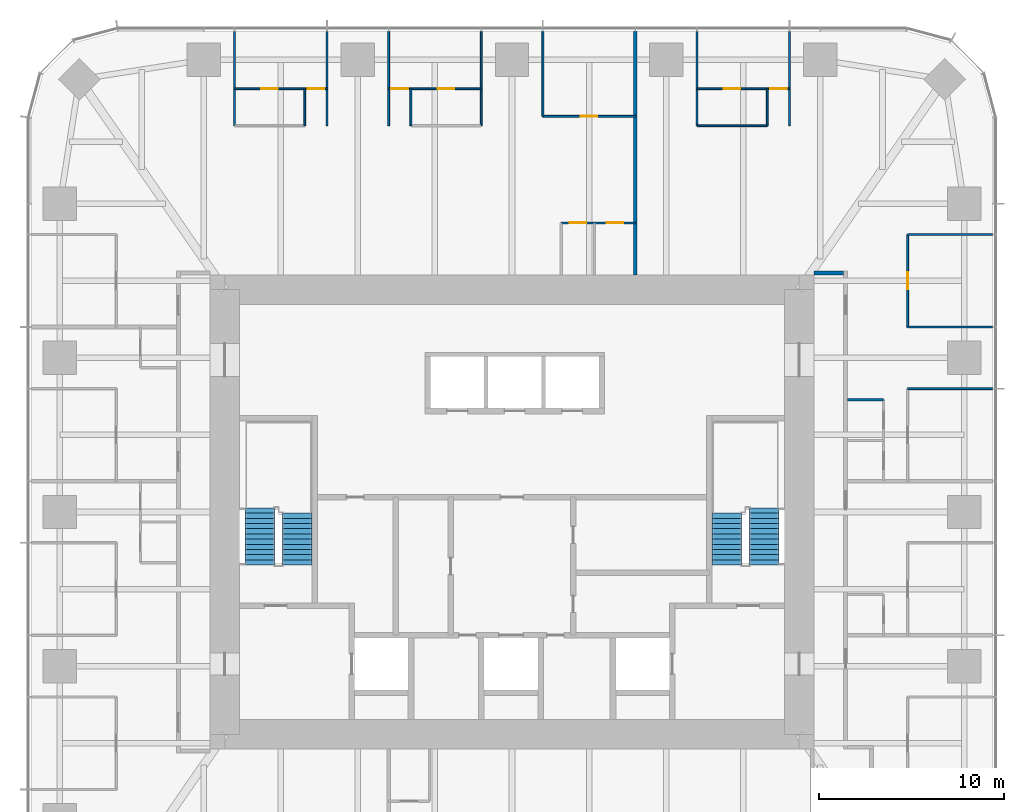
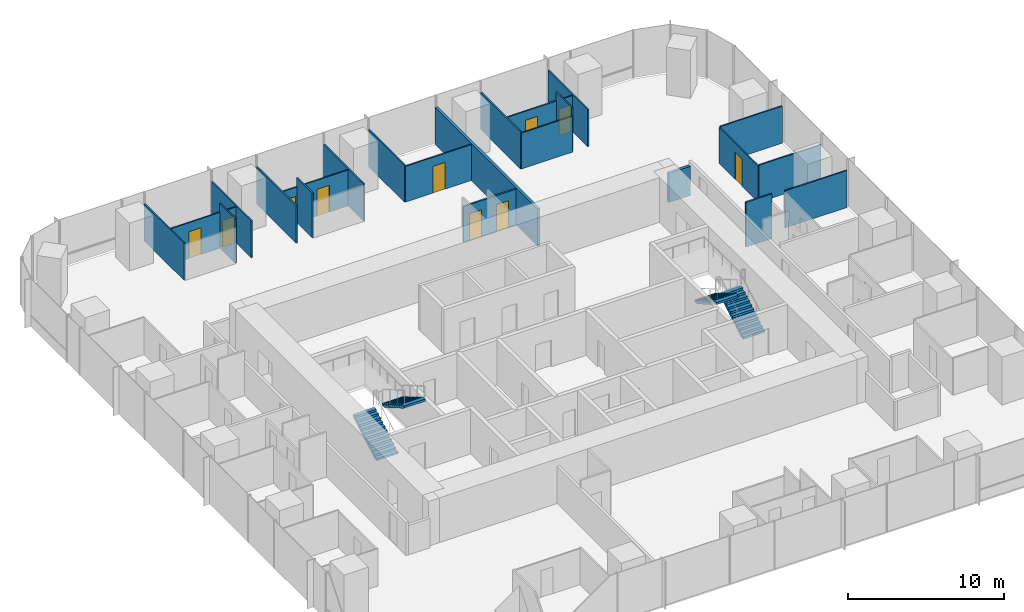
# One storey, part 11 of 12: 23 walls, 10 doors, 4 stair flights, 10 openings, 2 elements without a shape of their own.
"""IFC4 building model written with IfcOpenShell, lengths in metres."""

from ifc_helpers import new_model, si_unit, direction, frame, frame_2d, origin, place, context, subcontext, project, spatial, polyline, rectangle, outline, extrude, material, layer, layer_set, type_object, element, fill, aggregate, save


model = new_model("IFC4")

# Units and contexts
model_context = context("Model", 3, precision=1e-05, world=origin(), true_north=direction((0.0, 1.0)))
body_context = subcontext(model_context, "Body", "Model", "MODEL_VIEW")
ifc_project = project(units=[si_unit("LENGTHUNIT", "METRE"), si_unit("AREAUNIT", "SQUARE_METRE"), si_unit("VOLUMEUNIT", "CUBIC_METRE"), si_unit("PLANEANGLEUNIT", "RADIAN"), si_unit("MASSUNIT", "GRAM", prefix="KILO")], contexts=[model_context])

# Site, building, storey
site_placement = place(None, origin())
site = spatial("IfcSite", under=ifc_project, at=site_placement, CompositionType="ELEMENT")
building_placement = place(site_placement, origin())
building = spatial("IfcBuilding", under=site, at=building_placement, Name="Khuree Lantern Residences", CompositionType="ELEMENT")
storey_placement = place(building_placement, frame((0.0, 0.0, 237.0)))
storey = spatial("IfcBuildingStorey", under=building, at=storey_placement, Name="L59", CompositionType="ELEMENT", Elevation=237.0)

# Wall
ifc_material_1 = material(Name="Moisture-resistant gypsum board on steel studs", Category="steel")
ifc_layer_1 = layer(ifc_material_1, 0.125)
ifc_layer_set_1 = layer_set([ifc_layer_1], Name="BATHROOM WALL BTW125")
wall_type_1 = type_object("IfcWallType", Name="BATHROOM WALL BTW125", PredefinedType="PARTITIONING", material=ifc_layer_set_1)
wall_1_placement = place(storey_placement, frame((18.10009765625, 6.06396484375, 0.0), z_axis=(0.0, 0.0, 1.0), x_axis=(1.0, 0.0, 0.0)))
element("IfcWall", 1, at=wall_1_placement, inside=storey, type_object=wall_type_1, Name="L59 BATHROOM WALL 02", PredefinedType="PARTITIONING", context=body_context, shape_type="SweptSolid", body=[
    extrude(rectangle(XDim=1.949951171875, YDim=0.125, at=frame_2d((0.97509765625, 0.0))), origin(), (0.0, 0.0, 1.0), 3.5),
])

# Wall, openings, doors
wall_2_placement = place(storey_placement, frame((6.656005859375, 15.60009765625, 0.0), z_axis=(0.0, 0.0, 1.0), x_axis=(-1.0, 0.0, 0.0)))
wall_2 = element("IfcWall", 2, at=wall_2_placement, inside=storey, type_object=wall_type_1, Name="L59 BATHROOM WALL 03", PredefinedType="PARTITIONING", context=body_context, shape_type="SweptSolid", body=[
    extrude(rectangle(XDim=4.0, YDim=0.125, at=frame_2d((2.0, 0.0))), origin(), (0.0, 0.0, 1.0), 2.81005859375),
])
opening_1_placement = place(wall_2_placement, frame((0.64990234375, 0.0, 0.0)))
opening_1 = element("IfcOpeningElement", 3, at=opening_1_placement, cuts=wall_2, Name="Opening 59-036", PredefinedType="OPENING", context=body_context, shape_type="SweptSolid", body=[
    extrude(rectangle(XDim=0.89990234375, YDim=2.10009765625, at=frame_2d((0.449951171875, 1.050048828125))), frame((0.0, 0.072509765625, 0.0), z_axis=(0.0, -1.0, 0.0), x_axis=(1.0, 0.0, 0.0)), (0.0, 0.0, 1.0), 0.14501953125),
])
opening_2_placement = place(wall_2_placement, frame((2.64990234375, 0.0, 0.0)))
opening_2 = element("IfcOpeningElement", 4, at=opening_2_placement, cuts=wall_2, Name="Opening 59-037", PredefinedType="OPENING", context=body_context, shape_type="SweptSolid", body=[
    extrude(rectangle(XDim=0.89990234375, YDim=2.10009765625, at=frame_2d((0.449951171875, 1.050048828125))), frame((0.0, 0.072509765625, 0.0), z_axis=(0.0, -1.0, 0.0), x_axis=(1.0, 0.0, 0.0)), (0.0, 0.0, 1.0), 0.14501953125),
])
ifc_material_2 = material(Name="Timber door leaf in hardwood frame", Category="wood")
door_type_1 = type_object("IfcDoorType", Name="BATHROOM DOOR 900X2100", OperationType="SINGLE_SWING_LEFT", PredefinedType="DOOR", material=ifc_material_2)
door_1_placement = place(opening_1_placement, origin())
door_1 = element("IfcDoor", 5, at=door_1_placement, inside=storey, type_object=door_type_1, Name="Bathroom door 59-036", OperationType="SINGLE_SWING_LEFT", OverallHeight=2.10009765625, OverallWidth=0.89990234375, PredefinedType="DOOR", context=body_context, shape_type="SweptSolid", body=[
    extrude(rectangle(XDim=0.89990234375, YDim=2.10009765625, at=frame_2d((0.449951171875, 1.050048828125))), frame((0.0, 0.02490234375, 0.0), z_axis=(0.0, -1.0, 0.0), x_axis=(1.0, 0.0, 0.0)), (0.0, 0.0, 1.0), 0.050048828125),
])
fill(opening_1, door_1)
door_type_2 = type_object("IfcDoorType", Name="DOOR 900X2100", OperationType="SINGLE_SWING_LEFT", PredefinedType="DOOR", material=ifc_material_2)
door_2_placement = place(opening_2_placement, origin())
door_2 = element("IfcDoor", 6, at=door_2_placement, inside=storey, type_object=door_type_2, Name="Store door 59-037", OperationType="SINGLE_SWING_LEFT", OverallHeight=2.10009765625, OverallWidth=0.89990234375, PredefinedType="DOOR", context=body_context, shape_type="SweptSolid", body=[
    extrude(rectangle(XDim=0.89990234375, YDim=2.10009765625, at=frame_2d((0.449951171875, 1.050048828125))), frame((0.0, 0.02490234375, 0.0), z_axis=(0.0, -1.0, 0.0), x_axis=(1.0, 0.0, 0.0)), (0.0, 0.0, 1.0), 0.050048828125),
])
fill(opening_2, door_2)

# Walls
ifc_material_3 = material(Name="Gypsum board on steel studs", Category="steel")
ifc_layer_2 = layer(ifc_material_3, 0.199951171875)
ifc_layer_set_2 = layer_set([ifc_layer_2], Name="CORRIDOR WALL CRW200 EI 60")
wall_type_2 = type_object("IfcWallType", Name="CORRIDOR WALL CRW200 EI 60", PredefinedType="PARTITIONING", material=ifc_layer_set_2)
wall_3_placement = place(storey_placement, frame((16.300048828125, 12.89990234375, 0.0), z_axis=(0.0, 0.0, 1.0), x_axis=(1.0, 0.0, 0.0)))
element("IfcWall", 7, at=wall_3_placement, inside=storey, type_object=wall_type_2, Name="L59 EAST CORRIDOR NORTH END WALL", PredefinedType="PARTITIONING", context=body_context, shape_type="SweptSolid", body=[
    extrude(rectangle(XDim=1.599853515625, YDim=0.199951171875, at=frame_2d((0.7998046875, 0.0))), origin(), (0.0, 0.0, 1.0), 2.300048828125),
])
ifc_layer_3 = layer(ifc_material_3, 0.199951171875)
ifc_layer_set_3 = layer_set([ifc_layer_3], Name="DEMISING WALL DMW200 EI 90")
wall_type_3 = type_object("IfcWallType", Name="DEMISING WALL DMW200 EI 90", PredefinedType="PARTITIONING", material=ifc_layer_set_3)
wall_4_placement = place(storey_placement, frame((6.656005859375, 12.800048828125, 0.0), z_axis=(0.0, 0.0, 1.0), x_axis=(0.0, 1.0, 0.0)))
element("IfcWall", 8, at=wall_4_placement, inside=storey, type_object=wall_type_3, Name="L59 DEMISING WALL 03", PredefinedType="PARTITIONING", context=body_context, shape_type="SweptSolid", body=[
    extrude(rectangle(XDim=13.14990234375, YDim=0.199951171875, at=frame_2d((6.574951171875, 0.0))), origin(), (0.0, 0.0, 1.0), 2.909912109375),
])
ifc_layer_4 = layer(ifc_material_3, 0.10009765625)
ifc_layer_set_4 = layer_set([ifc_layer_4], Name="PARTITION PT100")
wall_type_4 = type_object("IfcWallType", Name="PARTITION PT100", PredefinedType="PARTITIONING", material=ifc_layer_set_4)
for number, where, z_axis, x_axis, name in (
    (9, (21.35009765625, 6.656005859375, 0.0), (0.0, 0.0, 1.0), (1.0, 0.0, 0.0), "L59 PARTITION 02"),
    (10, (21.35009765625, 9.98388671875, 0.0), (0.0, 0.0, 1.0), (1.0, 0.0, 0.0), "L59 PARTITION 02"),
    (11, (21.35009765625, 14.97607421875, 0.0), (0.0, 0.0, 1.0), (1.0, 0.0, 0.0), "L59 PARTITION 02"),
):
    element("IfcWall", number, at=place(storey_placement, frame(where, z_axis=z_axis, x_axis=x_axis)), inside=storey, type_object=wall_type_4, Name=name, PredefinedType="PARTITIONING", context=body_context, shape_type="SweptSolid", body=[
        extrude(rectangle(XDim=4.599853515625, YDim=0.10009765625, at=frame_2d((2.2998046875, 0.0))), origin(), (0.0, 0.0, 1.0), 2.909912109375),
    ])
for number, where, z_axis, x_axis, name in (
    (12, (14.97607421875, 20.844970703125, 0.0), (0.0, 0.0, 1.0), (0.0, 1.0, 0.0), "L59 PARTITION 02"),
    (13, (9.98388671875, 20.844970703125, 0.0), (0.0, 0.0, 1.0), (0.0, 1.0, 0.0), "L59 PARTITION 02"),
):
    element("IfcWall", number, at=place(storey_placement, frame(where, z_axis=z_axis, x_axis=x_axis)), inside=storey, type_object=wall_type_4, Name=name, PredefinedType="PARTITIONING", context=body_context, shape_type="SweptSolid", body=[
        extrude(rectangle(XDim=5.10498046875, YDim=0.10009765625, at=frame_2d((2.552490234375, 0.0))), origin(), (0.0, 0.0, 1.0), 2.909912109375),
    ])
wall_5_placement = place(storey_placement, frame((1.6640625, 21.35009765625, 0.0), z_axis=(0.0, 0.0, 1.0), x_axis=(0.0, 1.0, 0.0)))
element("IfcWall", 14, at=wall_5_placement, inside=storey, type_object=wall_type_4, Name="L59 PARTITION 03", PredefinedType="PARTITIONING", context=body_context, shape_type="SweptSolid", body=[
    extrude(rectangle(XDim=4.599853515625, YDim=0.10009765625, at=frame_2d((2.2998046875, 0.0))), origin(), (0.0, 0.0, 1.0), 2.909912109375),
])
for number, where, z_axis, x_axis, name in (
    (15, (-1.6640625, 20.844970703125, 0.0), (0.0, 0.0, 1.0), (0.0, 1.0, 0.0), "L59 PARTITION 03"),
    (16, (-6.656005859375, 20.844970703125, 0.0), (0.0, 0.0, 1.0), (0.0, 1.0, 0.0), "L59 PARTITION 03"),
    (17, (-9.98388671875, 20.844970703125, 0.0), (0.0, 0.0, 1.0), (0.0, 1.0, 0.0), "L59 PARTITION 03"),
    (18, (-14.97607421875, 20.844970703125, 0.0), (0.0, 0.0, 1.0), (0.0, 1.0, 0.0), "L59 PARTITION 03"),
):
    element("IfcWall", number, at=place(storey_placement, frame(where, z_axis=z_axis, x_axis=x_axis)), inside=storey, type_object=wall_type_4, Name=name, PredefinedType="PARTITIONING", context=body_context, shape_type="SweptSolid", body=[
        extrude(rectangle(XDim=5.10498046875, YDim=0.10009765625, at=frame_2d((2.552490234375, 0.0))), origin(), (0.0, 0.0, 1.0), 2.909912109375),
    ])

# Wall, opening, door
wall_6_placement = place(storey_placement, frame((21.35009765625, 9.98388671875, 0.0), z_axis=(0.0, 0.0, 1.0), x_axis=(0.0, 1.0, 0.0)))
wall_6 = element("IfcWall", 19, at=wall_6_placement, inside=storey, type_object=wall_type_4, Name="L59 PARTITION 02", PredefinedType="PARTITIONING", context=body_context, shape_type="SweptSolid", body=[
    extrude(rectangle(XDim=4.9921875, YDim=0.10009765625, at=frame_2d((2.49609375, 0.0))), origin(), (0.0, 0.0, 1.0), 2.81005859375),
])
opening_3_placement = place(wall_6_placement, frame((2.0458984375, 0.0, 0.0)))
opening_3 = element("IfcOpeningElement", 20, at=opening_3_placement, cuts=wall_6, Name="Opening 59-024", PredefinedType="OPENING", context=body_context, shape_type="SweptSolid", body=[
    extrude(rectangle(XDim=0.89990234375, YDim=2.10009765625, at=frame_2d((0.449951171875, 1.050048828125))), frame((0.0, 0.06005859375, 0.0), z_axis=(0.0, -1.0, 0.0), x_axis=(1.0, 0.0, 0.0)), (0.0, 0.0, 1.0), 0.1201171875),
])
door_type_3 = type_object("IfcDoorType", Name="BEDROOM DOOR 900X2100", OperationType="SINGLE_SWING_LEFT", PredefinedType="DOOR", material=ifc_material_2)
door_3_placement = place(opening_3_placement, origin())
door_3 = element("IfcDoor", 21, at=door_3_placement, inside=storey, type_object=door_type_3, Name="Bedroom door 59-024", OperationType="SINGLE_SWING_LEFT", OverallHeight=2.10009765625, OverallWidth=0.89990234375, PredefinedType="DOOR", context=body_context, shape_type="SweptSolid", body=[
    extrude(rectangle(XDim=0.89990234375, YDim=2.10009765625, at=frame_2d((0.449951171875, 1.050048828125))), frame((0.0, 0.02490234375, 0.0), z_axis=(0.0, -1.0, 0.0), x_axis=(1.0, 0.0, 0.0)), (0.0, 0.0, 1.0), 0.050048828125),
])
fill(opening_3, door_3)

# Wall, openings, doors
wall_7_placement = place(storey_placement, frame((14.97607421875, 22.844970703125, 0.0), z_axis=(0.0, 0.0, 1.0), x_axis=(-1.0, 0.0, 0.0)))
wall_7 = element("IfcWall", 22, at=wall_7_placement, inside=storey, type_object=wall_type_4, Name="L59 PARTITION 02", PredefinedType="PARTITIONING", context=body_context, shape_type="SweptSolid", body=[
    extrude(rectangle(XDim=4.9921875, YDim=0.10009765625, at=frame_2d((2.49609375, 0.0))), origin(), (0.0, 0.0, 1.0), 2.81005859375),
])
opening_4_placement = place(wall_7_placement, frame((0.14990234375, 0.0, 0.0)))
opening_4 = element("IfcOpeningElement", 23, at=opening_4_placement, cuts=wall_7, Name="Opening 59-025", PredefinedType="OPENING", context=body_context, shape_type="SweptSolid", body=[
    extrude(rectangle(XDim=0.89990234375, YDim=2.10009765625, at=frame_2d((0.449951171875, 1.050048828125))), frame((0.0, 0.06005859375, 0.0), z_axis=(0.0, -1.0, 0.0), x_axis=(1.0, 0.0, 0.0)), (0.0, 0.0, 1.0), 0.1201171875),
])
opening_5_placement = place(wall_7_placement, frame((2.64599609375, 0.0, 0.0)))
opening_5 = element("IfcOpeningElement", 24, at=opening_5_placement, cuts=wall_7, Name="Opening 59-026", PredefinedType="OPENING", context=body_context, shape_type="SweptSolid", body=[
    extrude(rectangle(XDim=0.89990234375, YDim=2.10009765625, at=frame_2d((0.449951171875, 1.050048828125))), frame((0.0, 0.06005859375, 0.0), z_axis=(0.0, -1.0, 0.0), x_axis=(1.0, 0.0, 0.0)), (0.0, 0.0, 1.0), 0.1201171875),
])
door_4_placement = place(opening_4_placement, origin())
door_4 = element("IfcDoor", 25, at=door_4_placement, inside=storey, type_object=door_type_3, Name="Bedroom door 59-025", OperationType="SINGLE_SWING_LEFT", OverallHeight=2.10009765625, OverallWidth=0.89990234375, PredefinedType="DOOR", context=body_context, shape_type="SweptSolid", body=[
    extrude(rectangle(XDim=0.89990234375, YDim=2.10009765625, at=frame_2d((0.449951171875, 1.050048828125))), frame((0.0, 0.02490234375, 0.0), z_axis=(0.0, -1.0, 0.0), x_axis=(1.0, 0.0, 0.0)), (0.0, 0.0, 1.0), 0.050048828125),
])
fill(opening_4, door_4)
door_5_placement = place(opening_5_placement, origin())
door_5 = element("IfcDoor", 26, at=door_5_placement, inside=storey, type_object=door_type_2, Name="Wardrobe door 59-026", OperationType="SINGLE_SWING_LEFT", OverallHeight=2.10009765625, OverallWidth=0.89990234375, PredefinedType="DOOR", context=body_context, shape_type="SweptSolid", body=[
    extrude(rectangle(XDim=0.89990234375, YDim=2.10009765625, at=frame_2d((0.449951171875, 1.050048828125))), frame((0.0, 0.02490234375, 0.0), z_axis=(0.0, -1.0, 0.0), x_axis=(1.0, 0.0, 0.0)), (0.0, 0.0, 1.0), 0.050048828125),
])
fill(opening_5, door_5)

# Walls
wall_8_placement = place(storey_placement, frame((13.77587890625, 20.844970703125, 0.0), z_axis=(0.0, 0.0, 1.0), x_axis=(0.0, 1.0, 0.0)))
element("IfcWall", 27, at=wall_8_placement, inside=storey, type_object=wall_type_4, Name="L59 PARTITION 02", PredefinedType="PARTITIONING", context=body_context, shape_type="SweptSolid", body=[
    extrude(rectangle(XDim=2.0, YDim=0.10009765625, at=frame_2d((1.0, 0.0))), origin(), (0.0, 0.0, 1.0), 3.5),
])
wall_9_placement = place(storey_placement, frame((13.77587890625, 20.844970703125, 0.0), z_axis=(0.0, 0.0, 1.0), x_axis=(-1.0, 0.0, 0.0)))
element("IfcWall", 28, at=wall_9_placement, inside=storey, type_object=wall_type_4, Name="L59 PARTITION 02", PredefinedType="PARTITIONING", context=body_context, shape_type="SweptSolid", body=[
    extrude(rectangle(XDim=3.7919921875, YDim=0.10009765625, at=frame_2d((1.89599609375, 0.0))), origin(), (0.0, 0.0, 1.0), 2.81005859375),
])

# Wall, opening, door
wall_10_placement = place(storey_placement, frame((6.656005859375, 21.35009765625, 0.0), z_axis=(0.0, 0.0, 1.0), x_axis=(-1.0, 0.0, 0.0)))
wall_10 = element("IfcWall", 29, at=wall_10_placement, inside=storey, type_object=wall_type_4, Name="L59 PARTITION 03", PredefinedType="PARTITIONING", context=body_context, shape_type="SweptSolid", body=[
    extrude(rectangle(XDim=4.991943359375, YDim=0.10009765625, at=frame_2d((2.49609375, 0.0))), origin(), (0.0, 0.0, 1.0), 2.81005859375),
])
opening_6_placement = place(wall_10_placement, frame((2.0458984375, 0.0, 0.0)))
opening_6 = element("IfcOpeningElement", 30, at=opening_6_placement, cuts=wall_10, Name="Opening 59-030", PredefinedType="OPENING", context=body_context, shape_type="SweptSolid", body=[
    extrude(rectangle(XDim=0.89990234375, YDim=2.10009765625, at=frame_2d((0.449951171875, 1.050048828125))), frame((0.0, 0.06005859375, 0.0), z_axis=(0.0, -1.0, 0.0), x_axis=(1.0, 0.0, 0.0)), (0.0, 0.0, 1.0), 0.1201171875),
])
door_6_placement = place(opening_6_placement, origin())
door_6 = element("IfcDoor", 31, at=door_6_placement, inside=storey, type_object=door_type_3, Name="Bedroom door 59-030", OperationType="SINGLE_SWING_LEFT", OverallHeight=2.10009765625, OverallWidth=0.89990234375, PredefinedType="DOOR", context=body_context, shape_type="SweptSolid", body=[
    extrude(rectangle(XDim=0.89990234375, YDim=2.10009765625, at=frame_2d((0.449951171875, 1.050048828125))), frame((0.0, 0.02490234375, 0.0), z_axis=(0.0, -1.0, 0.0), x_axis=(1.0, 0.0, 0.0)), (0.0, 0.0, 1.0), 0.050048828125),
])
fill(opening_6, door_6)

# Wall, openings, doors
wall_11_placement = place(storey_placement, frame((-1.6640625, 22.844970703125, 0.0), z_axis=(0.0, 0.0, 1.0), x_axis=(-1.0, 0.0, 0.0)))
wall_11 = element("IfcWall", 32, at=wall_11_placement, inside=storey, type_object=wall_type_4, Name="L59 PARTITION 03", PredefinedType="PARTITIONING", context=body_context, shape_type="SweptSolid", body=[
    extrude(rectangle(XDim=4.991943359375, YDim=0.10009765625, at=frame_2d((2.49609375, 0.0))), origin(), (0.0, 0.0, 1.0), 2.81005859375),
])
opening_7_placement = place(wall_11_placement, frame((3.94189453125, 0.0, 0.0)))
opening_7 = element("IfcOpeningElement", 33, at=opening_7_placement, cuts=wall_11, Name="Opening 59-031", PredefinedType="OPENING", context=body_context, shape_type="SweptSolid", body=[
    extrude(rectangle(XDim=0.89990234375, YDim=2.10009765625, at=frame_2d((0.449951171875, 1.050048828125))), frame((0.0, 0.06005859375, 0.0), z_axis=(0.0, -1.0, 0.0), x_axis=(1.0, 0.0, 0.0)), (0.0, 0.0, 1.0), 0.1201171875),
])
opening_8_placement = place(wall_11_placement, frame((1.446044921875, 0.0, 0.0)))
opening_8 = element("IfcOpeningElement", 34, at=opening_8_placement, cuts=wall_11, Name="Opening 59-032", PredefinedType="OPENING", context=body_context, shape_type="SweptSolid", body=[
    extrude(rectangle(XDim=0.89990234375, YDim=2.10009765625, at=frame_2d((0.449951171875, 1.050048828125))), frame((0.0, 0.06005859375, 0.0), z_axis=(0.0, -1.0, 0.0), x_axis=(1.0, 0.0, 0.0)), (0.0, 0.0, 1.0), 0.1201171875),
])
door_7_placement = place(opening_8_placement, origin())
door_7 = element("IfcDoor", 35, at=door_7_placement, inside=storey, type_object=door_type_1, Name="Bathroom door 59-032", OperationType="SINGLE_SWING_LEFT", OverallHeight=2.10009765625, OverallWidth=0.89990234375, PredefinedType="DOOR", context=body_context, shape_type="SweptSolid", body=[
    extrude(rectangle(XDim=0.89990234375, YDim=2.10009765625, at=frame_2d((0.449951171875, 1.050048828125))), frame((0.0, 0.02490234375, 0.0), z_axis=(0.0, -1.0, 0.0), x_axis=(1.0, 0.0, 0.0)), (0.0, 0.0, 1.0), 0.050048828125),
])
fill(opening_8, door_7)
door_8_placement = place(opening_7_placement, origin())
door_8 = element("IfcDoor", 36, at=door_8_placement, inside=storey, type_object=door_type_3, Name="Bedroom door 59-031", OperationType="SINGLE_SWING_LEFT", OverallHeight=2.10009765625, OverallWidth=0.89990234375, PredefinedType="DOOR", context=body_context, shape_type="SweptSolid", body=[
    extrude(rectangle(XDim=0.89990234375, YDim=2.10009765625, at=frame_2d((0.449951171875, 1.050048828125))), frame((0.0, 0.02490234375, 0.0), z_axis=(0.0, -1.0, 0.0), x_axis=(1.0, 0.0, 0.0)), (0.0, 0.0, 1.0), 0.050048828125),
])
fill(opening_7, door_8)

# Wall
wall_12_placement = place(storey_placement, frame((-5.4560546875, 20.844970703125, 0.0), z_axis=(0.0, 0.0, 1.0), x_axis=(0.0, 1.0, 0.0)))
element("IfcWall", 37, at=wall_12_placement, inside=storey, type_object=wall_type_4, Name="L59 PARTITION 03", PredefinedType="PARTITIONING", context=body_context, shape_type="SweptSolid", body=[
    extrude(rectangle(XDim=2.0, YDim=0.10009765625, at=frame_2d((1.0, 0.0))), origin(), (0.0, 0.0, 1.0), 3.5),
])

# Wall, openings, doors
wall_13_placement = place(storey_placement, frame((-9.98388671875, 22.844970703125, 0.0), z_axis=(0.0, 0.0, 1.0), x_axis=(-1.0, 0.0, 0.0)))
wall_13 = element("IfcWall", 38, at=wall_13_placement, inside=storey, type_object=wall_type_4, Name="L59 PARTITION 03", PredefinedType="PARTITIONING", context=body_context, shape_type="SweptSolid", body=[
    extrude(rectangle(XDim=4.9921875, YDim=0.10009765625, at=frame_2d((2.49609375, 0.0))), origin(), (0.0, 0.0, 1.0), 2.81005859375),
])
opening_9_placement = place(wall_13_placement, frame((0.14990234375, 0.0, 0.0)))
opening_9 = element("IfcOpeningElement", 39, at=opening_9_placement, cuts=wall_13, Name="Opening 59-033", PredefinedType="OPENING", context=body_context, shape_type="SweptSolid", body=[
    extrude(rectangle(XDim=0.89990234375, YDim=2.10009765625, at=frame_2d((0.449951171875, 1.050048828125))), frame((0.0, 0.06005859375, 0.0), z_axis=(0.0, -1.0, 0.0), x_axis=(1.0, 0.0, 0.0)), (0.0, 0.0, 1.0), 0.1201171875),
])
opening_10_placement = place(wall_13_placement, frame((2.64599609375, 0.0, 0.0)))
opening_10 = element("IfcOpeningElement", 40, at=opening_10_placement, cuts=wall_13, Name="Opening 59-034", PredefinedType="OPENING", context=body_context, shape_type="SweptSolid", body=[
    extrude(rectangle(XDim=0.89990234375, YDim=2.10009765625, at=frame_2d((0.449951171875, 1.050048828125))), frame((0.0, 0.06005859375, 0.0), z_axis=(0.0, -1.0, 0.0), x_axis=(1.0, 0.0, 0.0)), (0.0, 0.0, 1.0), 0.1201171875),
])
door_9_placement = place(opening_9_placement, origin())
door_9 = element("IfcDoor", 41, at=door_9_placement, inside=storey, type_object=door_type_3, Name="Bedroom door 59-033", OperationType="SINGLE_SWING_LEFT", OverallHeight=2.10009765625, OverallWidth=0.89990234375, PredefinedType="DOOR", context=body_context, shape_type="SweptSolid", body=[
    extrude(rectangle(XDim=0.89990234375, YDim=2.10009765625, at=frame_2d((0.449951171875, 1.050048828125))), frame((0.0, 0.02490234375, 0.0), z_axis=(0.0, -1.0, 0.0), x_axis=(1.0, 0.0, 0.0)), (0.0, 0.0, 1.0), 0.050048828125),
])
fill(opening_9, door_9)
door_10_placement = place(opening_10_placement, origin())
door_10 = element("IfcDoor", 42, at=door_10_placement, inside=storey, type_object=door_type_2, Name="Wardrobe door 59-034", OperationType="SINGLE_SWING_LEFT", OverallHeight=2.10009765625, OverallWidth=0.89990234375, PredefinedType="DOOR", context=body_context, shape_type="SweptSolid", body=[
    extrude(rectangle(XDim=0.89990234375, YDim=2.10009765625, at=frame_2d((0.449951171875, 1.050048828125))), frame((0.0, 0.02490234375, 0.0), z_axis=(0.0, -1.0, 0.0), x_axis=(1.0, 0.0, 0.0)), (0.0, 0.0, 1.0), 0.050048828125),
])
fill(opening_10, door_10)

# Wall
wall_14_placement = place(storey_placement, frame((-11.18408203125, 20.844970703125, 0.0), z_axis=(0.0, 0.0, 1.0), x_axis=(0.0, 1.0, 0.0)))
element("IfcWall", 43, at=wall_14_placement, inside=storey, type_object=wall_type_4, Name="L59 PARTITION 03", PredefinedType="PARTITIONING", context=body_context, shape_type="SweptSolid", body=[
    extrude(rectangle(XDim=2.0, YDim=0.10009765625, at=frame_2d((1.0, 0.0))), origin(), (0.0, 0.0, 1.0), 3.5),
])

# Stair, stair flights
ifc_material_4 = material(Name="Concrete C40/50", Category="concrete")
stair_type = type_object("IfcStairType", Name="STAIR ST1 HALF TURN 3600", PredefinedType="HALF_TURN_STAIR", material=ifc_material_4)
stair_1_placement = place(storey_placement, origin())
stair_1 = element("IfcStair", 44, at=stair_1_placement, inside=storey, type_object=stair_type, Name="Stair ST1", PredefinedType="HALF_TURN_STAIR")
stair_flight_type = type_object("IfcStairFlightType", Name="STAIR FLIGHT SF1 1600", PredefinedType="STRAIGHT", material=ifc_material_4)
stair_flight_1_placement = place(storey_placement, frame((-13.60009765625, -2.860107421875, 0.0), z_axis=(0.0, 0.0, 1.0), x_axis=(0.0, 1.0, 0.0)))
stair_flight_1 = element("IfcStairFlight", 45, at=stair_flight_1_placement, type_object=stair_flight_type, Name="ST1 flight 1", NumberOfRisers=12, NumberOfTreads=11, PredefinedType="STRAIGHT", RiserHeight=0.163043478, TreadLength=0.28, context=body_context, shape_type="SweptSolid", body=[
    extrude(outline(polyline([(0.0, 0.0), (0.0, 0.1630859375), (0.280029296875, 0.1630859375), (0.280029296875, 0.326171875), (0.56005859375, 0.326171875), (0.56005859375, 0.489013671875), (0.840087890625, 0.489013671875), (0.840087890625, 0.652099609375), (1.1201171875, 0.652099609375), (1.1201171875, 0.815185546875), (1.39990234375, 0.815185546875), (1.39990234375, 0.978271484375), (1.679931640625, 0.978271484375), (1.679931640625, 1.141357421875), (1.9599609375, 1.141357421875), (1.9599609375, 1.304443359375), (2.239990234375, 1.304443359375), (2.239990234375, 1.46728515625), (2.52001953125, 1.46728515625), (2.52001953125, 1.63037109375), (2.800048828125, 1.63037109375), (2.800048828125, 1.79345703125), (3.080078125, 1.79345703125), (3.080078125, 1.95654296875), (3.080078125, 1.6201171875), (0.2978515625, 0.0), (0.0, 0.0)])), frame((0.0, 0.800048828125, 0.0), z_axis=(0.0, -1.0, 0.0), x_axis=(1.0, 0.0, 0.0)), (0.0, 0.0, 1.0), 1.60009765625),
])
stair_flight_2_placement = place(storey_placement, frame((-11.60009765625, -0.06005859375, 1.95654296875), z_axis=(0.0, 0.0, 1.0), x_axis=(0.0, -1.0, 0.0)))
stair_flight_2 = element("IfcStairFlight", 46, at=stair_flight_2_placement, type_object=stair_flight_type, Name="ST1 flight 2", NumberOfRisers=11, NumberOfTreads=10, PredefinedType="STRAIGHT", RiserHeight=0.163043478, TreadLength=0.28, context=body_context, shape_type="SweptSolid", body=[
    extrude(outline(polyline([(0.0, 0.0), (0.0, 0.1630859375), (0.280029296875, 0.1630859375), (0.280029296875, 0.326171875), (0.56005859375, 0.326171875), (0.56005859375, 0.489013671875), (0.840087890625, 0.489013671875), (0.840087890625, 0.652099609375), (1.1201171875, 0.652099609375), (1.1201171875, 0.815185546875), (1.39990234375, 0.815185546875), (1.39990234375, 0.978271484375), (1.679931640625, 0.978271484375), (1.679931640625, 1.141357421875), (1.9599609375, 1.141357421875), (1.9599609375, 1.304443359375), (2.239990234375, 1.304443359375), (2.239990234375, 1.46728515625), (2.52001953125, 1.46728515625), (2.52001953125, 1.63037109375), (2.800048828125, 1.63037109375), (2.800048828125, 1.79345703125), (2.800048828125, 1.45703125), (0.2978515625, 0.0), (0.0, 0.0)])), frame((0.0, 0.800048828125, 0.0), z_axis=(0.0, -1.0, 0.0), x_axis=(1.0, 0.0, 0.0)), (0.0, 0.0, 1.0), 1.60009765625),
])
aggregate(stair_1, [stair_flight_1, stair_flight_2])

stair_2_placement = place(storey_placement, origin())
stair_2 = element("IfcStair", 47, at=stair_2_placement, inside=storey, type_object=stair_type, Name="Stair ST2", PredefinedType="HALF_TURN_STAIR")
stair_flight_3_placement = place(storey_placement, frame((13.60009765625, -2.860107421875, 0.0), z_axis=(0.0, 0.0, 1.0), x_axis=(0.0, 1.0, 0.0)))
stair_flight_3 = element("IfcStairFlight", 48, at=stair_flight_3_placement, type_object=stair_flight_type, Name="ST2 flight 1", NumberOfRisers=12, NumberOfTreads=11, PredefinedType="STRAIGHT", RiserHeight=0.163043478, TreadLength=0.28, context=body_context, shape_type="SweptSolid", body=[
    extrude(outline(polyline([(0.0, 0.0), (0.0, 0.1630859375), (0.280029296875, 0.1630859375), (0.280029296875, 0.326171875), (0.56005859375, 0.326171875), (0.56005859375, 0.489013671875), (0.840087890625, 0.489013671875), (0.840087890625, 0.652099609375), (1.1201171875, 0.652099609375), (1.1201171875, 0.815185546875), (1.39990234375, 0.815185546875), (1.39990234375, 0.978271484375), (1.679931640625, 0.978271484375), (1.679931640625, 1.141357421875), (1.9599609375, 1.141357421875), (1.9599609375, 1.304443359375), (2.239990234375, 1.304443359375), (2.239990234375, 1.46728515625), (2.52001953125, 1.46728515625), (2.52001953125, 1.63037109375), (2.800048828125, 1.63037109375), (2.800048828125, 1.79345703125), (3.080078125, 1.79345703125), (3.080078125, 1.95654296875), (3.080078125, 1.6201171875), (0.2978515625, 0.0), (0.0, 0.0)])), frame((0.0, 0.800048828125, 0.0), z_axis=(0.0, -1.0, 0.0), x_axis=(1.0, 0.0, 0.0)), (0.0, 0.0, 1.0), 1.60009765625),
])
stair_flight_4_placement = place(storey_placement, frame((11.60009765625, -0.06005859375, 1.95654296875), z_axis=(0.0, 0.0, 1.0), x_axis=(0.0, -1.0, 0.0)))
stair_flight_4 = element("IfcStairFlight", 49, at=stair_flight_4_placement, type_object=stair_flight_type, Name="ST2 flight 2", NumberOfRisers=11, NumberOfTreads=10, PredefinedType="STRAIGHT", RiserHeight=0.163043478, TreadLength=0.28, context=body_context, shape_type="SweptSolid", body=[
    extrude(outline(polyline([(0.0, 0.0), (0.0, 0.1630859375), (0.280029296875, 0.1630859375), (0.280029296875, 0.326171875), (0.56005859375, 0.326171875), (0.56005859375, 0.489013671875), (0.840087890625, 0.489013671875), (0.840087890625, 0.652099609375), (1.1201171875, 0.652099609375), (1.1201171875, 0.815185546875), (1.39990234375, 0.815185546875), (1.39990234375, 0.978271484375), (1.679931640625, 0.978271484375), (1.679931640625, 1.141357421875), (1.9599609375, 1.141357421875), (1.9599609375, 1.304443359375), (2.239990234375, 1.304443359375), (2.239990234375, 1.46728515625), (2.52001953125, 1.46728515625), (2.52001953125, 1.63037109375), (2.800048828125, 1.63037109375), (2.800048828125, 1.79345703125), (2.800048828125, 1.45703125), (0.2978515625, 0.0), (0.0, 0.0)])), frame((0.0, 0.800048828125, 0.0), z_axis=(0.0, -1.0, 0.0), x_axis=(1.0, 0.0, 0.0)), (0.0, 0.0, 1.0), 1.60009765625),
])
aggregate(stair_2, [stair_flight_3, stair_flight_4])

save(model, "model.ifc")
